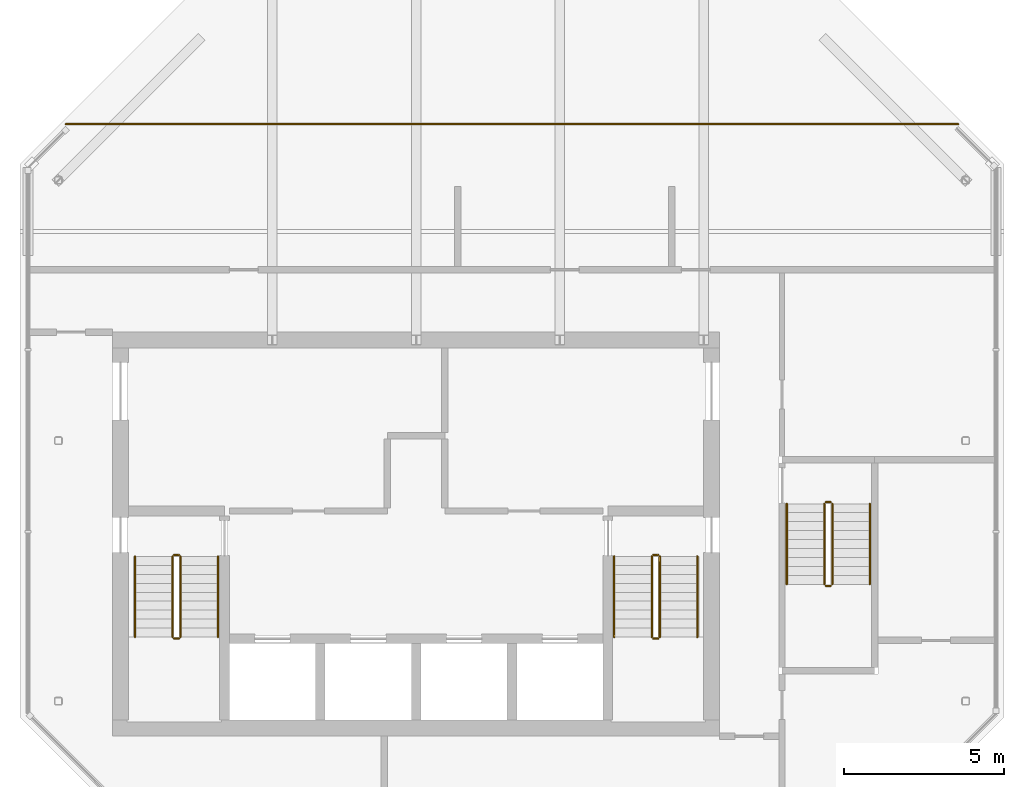
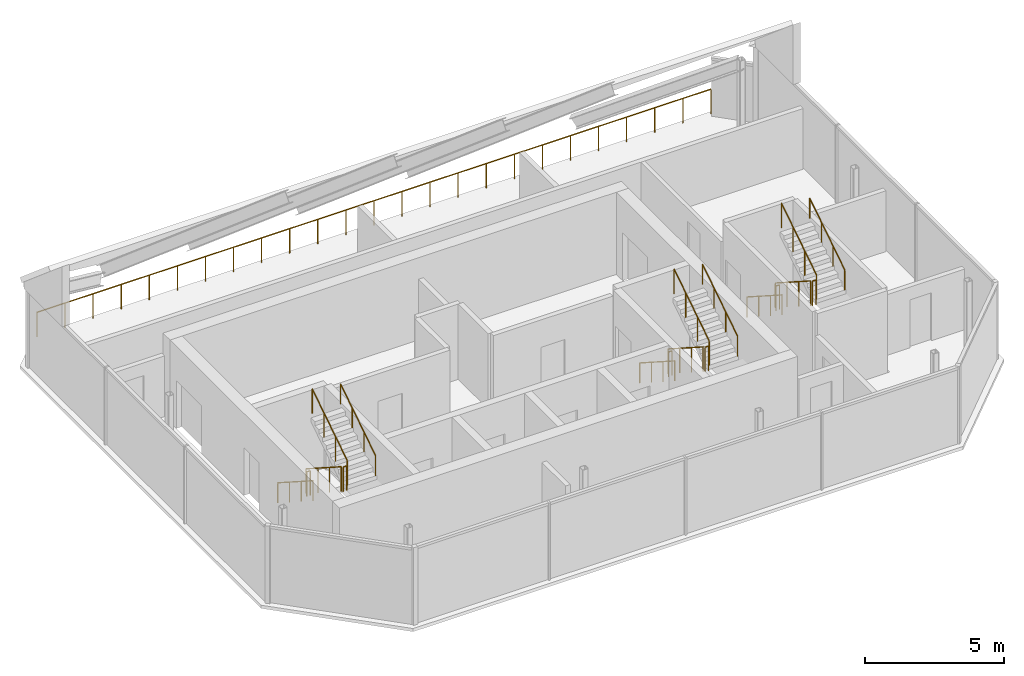
# One storey, part 5 of 5: 19 railings.
"""IFC4 building model written with IfcOpenShell, lengths in metres."""

from ifc_helpers import new_model, si_unit, direction, frame, origin, origin_2d, place, context, subcontext, project, spatial, circle, extrude, material, type_object, element, save


model = new_model("IFC4")

# Units and contexts
model_context = context("Model", 3, precision=1e-05, world=origin(), true_north=direction((0.0, 1.0)))
body_context = subcontext(model_context, "Body", "Model", "MODEL_VIEW")
ifc_project = project(units=[si_unit("LENGTHUNIT", "METRE"), si_unit("AREAUNIT", "SQUARE_METRE"), si_unit("VOLUMEUNIT", "CUBIC_METRE"), si_unit("PLANEANGLEUNIT", "RADIAN"), si_unit("MASSUNIT", "GRAM", prefix="KILO")], contexts=[model_context])

# Site, building, storey
site_placement = place(None, origin())
site = spatial("IfcSite", under=ifc_project, at=site_placement, CompositionType="ELEMENT")
building_placement = place(site_placement, origin())
building = spatial("IfcBuilding", under=site, at=building_placement, Name="Tskaro Facet Tower", CompositionType="ELEMENT")
storey_placement = place(building_placement, frame((0.0, 0.0, 304.5)))
storey = spatial("IfcBuildingStorey", under=building, at=storey_placement, Name="L82", CompositionType="ELEMENT", Elevation=304.5)

# Railings
ifc_material_1 = material(Name="Bronze anodised aluminium 6063-T6", Category="aluminium")
railing_type_1 = type_object("IfcRailingType", Name="Bronze guard rail (GD1)", PredefinedType="GUARDRAIL", material=ifc_material_1)
railing_1_placement = place(storey_placement, frame((16.968017578125, 7.162109375, 0.0)))
element("IfcRailing", 1, at=railing_1_placement, inside=storey, type_object=railing_type_1, Name="Guard L82", PredefinedType="GUARDRAIL", context=body_context, shape_type="SweptSolid", body=[
    extrude(circle(Radius=0.02490234375, at=origin_2d()), frame((0.0, 0.0, 1.0751953125), z_axis=(-1.0, 0.0, 0.0), x_axis=(0.0, -1.0, 0.0)), (0.0, 0.0, 1.0), 27.93603515625),
    extrude(circle(Radius=0.02001953125, at=origin_2d()), origin(), (0.0, 0.0, 1.0), 1.050048828125),
    extrude(circle(Radius=0.02001953125, at=origin_2d()), frame((-1.1640625, 0.0, 0.0)), (0.0, 0.0, 1.0), 1.050048828125),
    extrude(circle(Radius=0.02001953125, at=origin_2d()), frame((-2.328125, 0.0, 0.0)), (0.0, 0.0, 1.0), 1.050048828125),
    extrude(circle(Radius=0.02001953125, at=origin_2d()), frame((-3.491943359375, 0.0, 0.0)), (0.0, 0.0, 1.0), 1.050048828125),
    extrude(circle(Radius=0.02001953125, at=origin_2d()), frame((-4.656005859375, 0.0, 0.0)), (0.0, 0.0, 1.0), 1.050048828125),
    extrude(circle(Radius=0.02001953125, at=origin_2d()), frame((-5.820068359375, 0.0, 0.0)), (0.0, 0.0, 1.0), 1.050048828125),
    extrude(circle(Radius=0.02001953125, at=origin_2d()), frame((-6.98388671875, 0.0, 0.0)), (0.0, 0.0, 1.0), 1.050048828125),
    extrude(circle(Radius=0.02001953125, at=origin_2d()), frame((-8.14794921875, 0.0, 0.0)), (0.0, 0.0, 1.0), 1.050048828125),
    extrude(circle(Radius=0.02001953125, at=origin_2d()), frame((-9.31201171875, 0.0, 0.0)), (0.0, 0.0, 1.0), 1.050048828125),
    extrude(circle(Radius=0.02001953125, at=origin_2d()), frame((-10.47607421875, 0.0, 0.0)), (0.0, 0.0, 1.0), 1.050048828125),
    extrude(circle(Radius=0.02001953125, at=origin_2d()), frame((-11.64013671875, 0.0, 0.0)), (0.0, 0.0, 1.0), 1.050048828125),
    extrude(circle(Radius=0.02001953125, at=origin_2d()), frame((-12.803955078125, 0.0, 0.0)), (0.0, 0.0, 1.0), 1.050048828125),
    extrude(circle(Radius=0.02001953125, at=origin_2d()), frame((-13.968017578125, 0.0, 0.0)), (0.0, 0.0, 1.0), 1.050048828125),
    extrude(circle(Radius=0.02001953125, at=origin_2d()), frame((-15.132080078125, 0.0, 0.0)), (0.0, 0.0, 1.0), 1.050048828125),
    extrude(circle(Radius=0.02001953125, at=origin_2d()), frame((-16.2958984375, 0.0, 0.0)), (0.0, 0.0, 1.0), 1.050048828125),
    extrude(circle(Radius=0.02001953125, at=origin_2d()), frame((-17.4599609375, 0.0, 0.0)), (0.0, 0.0, 1.0), 1.050048828125),
    extrude(circle(Radius=0.02001953125, at=origin_2d()), frame((-18.6240234375, 0.0, 0.0)), (0.0, 0.0, 1.0), 1.050048828125),
    extrude(circle(Radius=0.02001953125, at=origin_2d()), frame((-19.7880859375, 0.0, 0.0)), (0.0, 0.0, 1.0), 1.050048828125),
    extrude(circle(Radius=0.02001953125, at=origin_2d()), frame((-20.9521484375, 0.0, 0.0)), (0.0, 0.0, 1.0), 1.050048828125),
    extrude(circle(Radius=0.02001953125, at=origin_2d()), frame((-22.115966796875, 0.0, 0.0)), (0.0, 0.0, 1.0), 1.050048828125),
    extrude(circle(Radius=0.02001953125, at=origin_2d()), frame((-23.280029296875, 0.0, 0.0)), (0.0, 0.0, 1.0), 1.050048828125),
    extrude(circle(Radius=0.02001953125, at=origin_2d()), frame((-24.444091796875, 0.0, 0.0)), (0.0, 0.0, 1.0), 1.050048828125),
    extrude(circle(Radius=0.02001953125, at=origin_2d()), frame((-25.60791015625, 0.0, 0.0)), (0.0, 0.0, 1.0), 1.050048828125),
    extrude(circle(Radius=0.02001953125, at=origin_2d()), frame((-26.77197265625, 0.0, 0.0)), (0.0, 0.0, 1.0), 1.050048828125),
    extrude(circle(Radius=0.02001953125, at=origin_2d()), frame((-27.93603515625, 0.0, 0.0)), (0.0, 0.0, 1.0), 1.050048828125),
])
ifc_material_2 = material(Name="Stainless steel", Category="steel")
railing_type_2 = type_object("IfcRailingType", Name="RL-GUARD-1100", PredefinedType="GUARDRAIL", material=ifc_material_2)
railing_2_placement = place(storey_placement, frame((-7.625, -6.375, 0.179931640625)))
element("IfcRailing", 2, at=railing_2_placement, inside=storey, type_object=railing_type_2, Name="L82 ST-1 stair guard 1", PredefinedType="GUARDRAIL", context=body_context, shape_type="SweptSolid", body=[
    extrude(circle(Radius=0.02392578125, at=origin_2d()), frame((0.0, 0.0, 1.076171875), z_axis=(0.0, -0.841162588446, 0.540782303519), x_axis=(1.0, 0.0, 0.0)), (0.0, 0.0, 1.0), 2.995849609375),
    extrude(circle(Radius=0.02099609375, at=origin_2d()), origin(), (0.0, 0.0, 1.0), 1.052001953125),
    extrude(circle(Radius=0.02099609375, at=origin_2d()), frame((0.0, -0.840087890625, 0.5400390625)), (0.0, 0.0, 1.0), 1.052001953125),
    extrude(circle(Radius=0.02099609375, at=origin_2d()), frame((0.0, -1.679931640625, 1.080078125)), (0.0, 0.0, 1.0), 1.052001953125),
    extrude(circle(Radius=0.02099609375, at=origin_2d()), frame((0.0, -2.52001953125, 1.6201171875)), (0.0, 0.0, 1.0), 1.052001953125),
])
railing_3_placement = place(storey_placement, frame((-7.574951171875, -8.945068359375, 1.800048828125)))
element("IfcRailing", 3, at=railing_3_placement, inside=storey, type_object=railing_type_2, Name="L82 ST-1 stair guard 2", PredefinedType="GUARDRAIL", context=body_context, shape_type="SweptSolid", body=[
    extrude(circle(Radius=0.02392578125, at=origin_2d()), frame((0.0, 0.0, 1.076171875), z_axis=(1.0, 0.0, 0.0), x_axis=(0.0, 1.0, 0.0)), (0.0, 0.0, 1.0), 0.14990234375),
    extrude(circle(Radius=0.02099609375, at=origin_2d()), origin(), (0.0, 0.0, 1.0), 1.052001953125),
    extrude(circle(Radius=0.02099609375, at=origin_2d()), frame((0.14990234375, 0.0, 0.0)), (0.0, 0.0, 1.0), 1.052001953125),
])
railing_4_placement = place(storey_placement, frame((-7.375, -8.89501953125, 1.97998046875)))
element("IfcRailing", 4, at=railing_4_placement, inside=storey, type_object=railing_type_2, Name="L82 ST-1 stair guard 3", PredefinedType="GUARDRAIL", context=body_context, shape_type="SweptSolid", body=[
    extrude(circle(Radius=0.02392578125, at=origin_2d()), frame((0.0, 0.0, 1.076171875), z_axis=(0.0, 0.841162588446, 0.540782303519), x_axis=(-1.0, 0.0, 0.0)), (0.0, 0.0, 1.0), 2.995849609375),
    extrude(circle(Radius=0.02099609375, at=origin_2d()), origin(), (0.0, 0.0, 1.0), 1.052001953125),
    extrude(circle(Radius=0.02099609375, at=origin_2d()), frame((0.0, 0.840087890625, 0.5400390625)), (0.0, 0.0, 1.0), 1.052001953125),
    extrude(circle(Radius=0.02099609375, at=origin_2d()), frame((0.0, 1.679931640625, 1.080078125)), (0.0, 0.0, 1.0), 1.052001953125),
    extrude(circle(Radius=0.02099609375, at=origin_2d()), frame((0.0, 2.52001953125, 1.6201171875)), (0.0, 0.0, 1.0), 1.052001953125),
])
railing_5_placement = place(storey_placement, frame((-7.574951171875, -6.324951171875, 0.0)))
element("IfcRailing", 5, at=railing_5_placement, inside=storey, type_object=railing_type_2, Name="L82 ST-1 stair guard 4", PredefinedType="GUARDRAIL", context=body_context, shape_type="SweptSolid", body=[
    extrude(circle(Radius=0.02392578125, at=origin_2d()), frame((0.0, 0.0, 1.076171875), z_axis=(1.0, 0.0, 0.0), x_axis=(0.0, 1.0, 0.0)), (0.0, 0.0, 1.0), 0.14990234375),
    extrude(circle(Radius=0.02099609375, at=origin_2d()), origin(), (0.0, 0.0, 1.0), 1.052001953125),
    extrude(circle(Radius=0.02099609375, at=origin_2d()), frame((0.14990234375, 0.0, 0.0)), (0.0, 0.0, 1.0), 1.052001953125),
])
railing_6_placement = place(storey_placement, frame((7.375, -6.375, 0.179931640625)))
element("IfcRailing", 6, at=railing_6_placement, inside=storey, type_object=railing_type_2, Name="L82 ST-2 stair guard 1", PredefinedType="GUARDRAIL", context=body_context, shape_type="SweptSolid", body=[
    extrude(circle(Radius=0.02392578125, at=origin_2d()), frame((0.0, 0.0, 1.076171875), z_axis=(0.0, -0.841162588446, 0.540782303519), x_axis=(1.0, 0.0, 0.0)), (0.0, 0.0, 1.0), 2.995849609375),
    extrude(circle(Radius=0.02099609375, at=origin_2d()), origin(), (0.0, 0.0, 1.0), 1.052001953125),
    extrude(circle(Radius=0.02099609375, at=origin_2d()), frame((0.0, -0.840087890625, 0.5400390625)), (0.0, 0.0, 1.0), 1.052001953125),
    extrude(circle(Radius=0.02099609375, at=origin_2d()), frame((0.0, -1.679931640625, 1.080078125)), (0.0, 0.0, 1.0), 1.052001953125),
    extrude(circle(Radius=0.02099609375, at=origin_2d()), frame((0.0, -2.52001953125, 1.6201171875)), (0.0, 0.0, 1.0), 1.052001953125),
])
railing_7_placement = place(storey_placement, frame((7.425048828125, -8.945068359375, 1.800048828125)))
element("IfcRailing", 7, at=railing_7_placement, inside=storey, type_object=railing_type_2, Name="L82 ST-2 stair guard 2", PredefinedType="GUARDRAIL", context=body_context, shape_type="SweptSolid", body=[
    extrude(circle(Radius=0.02392578125, at=origin_2d()), frame((0.0, 0.0, 1.076171875), z_axis=(1.0, 0.0, 0.0), x_axis=(0.0, 1.0, 0.0)), (0.0, 0.0, 1.0), 0.14990234375),
    extrude(circle(Radius=0.02099609375, at=origin_2d()), origin(), (0.0, 0.0, 1.0), 1.052001953125),
    extrude(circle(Radius=0.02099609375, at=origin_2d()), frame((0.14990234375, 0.0, 0.0)), (0.0, 0.0, 1.0), 1.052001953125),
])
railing_8_placement = place(storey_placement, frame((7.625, -8.89501953125, 1.97998046875)))
element("IfcRailing", 8, at=railing_8_placement, inside=storey, type_object=railing_type_2, Name="L82 ST-2 stair guard 3", PredefinedType="GUARDRAIL", context=body_context, shape_type="SweptSolid", body=[
    extrude(circle(Radius=0.02392578125, at=origin_2d()), frame((0.0, 0.0, 1.076171875), z_axis=(0.0, 0.841162588446, 0.540782303519), x_axis=(-1.0, 0.0, 0.0)), (0.0, 0.0, 1.0), 2.995849609375),
    extrude(circle(Radius=0.02099609375, at=origin_2d()), origin(), (0.0, 0.0, 1.0), 1.052001953125),
    extrude(circle(Radius=0.02099609375, at=origin_2d()), frame((0.0, 0.840087890625, 0.5400390625)), (0.0, 0.0, 1.0), 1.052001953125),
    extrude(circle(Radius=0.02099609375, at=origin_2d()), frame((0.0, 1.679931640625, 1.080078125)), (0.0, 0.0, 1.0), 1.052001953125),
    extrude(circle(Radius=0.02099609375, at=origin_2d()), frame((0.0, 2.52001953125, 1.6201171875)), (0.0, 0.0, 1.0), 1.052001953125),
])
railing_9_placement = place(storey_placement, frame((7.425048828125, -6.324951171875, 0.0)))
element("IfcRailing", 9, at=railing_9_placement, inside=storey, type_object=railing_type_2, Name="L82 ST-2 stair guard 4", PredefinedType="GUARDRAIL", context=body_context, shape_type="SweptSolid", body=[
    extrude(circle(Radius=0.02392578125, at=origin_2d()), frame((0.0, 0.0, 1.076171875), z_axis=(1.0, 0.0, 0.0), x_axis=(0.0, 1.0, 0.0)), (0.0, 0.0, 1.0), 0.14990234375),
    extrude(circle(Radius=0.02099609375, at=origin_2d()), origin(), (0.0, 0.0, 1.0), 1.052001953125),
    extrude(circle(Radius=0.02099609375, at=origin_2d()), frame((0.14990234375, 0.0, 0.0)), (0.0, 0.0, 1.0), 1.052001953125),
])
railing_10_placement = place(storey_placement, frame((12.77490234375, -4.72509765625, 0.179931640625)))
element("IfcRailing", 10, at=railing_10_placement, inside=storey, type_object=railing_type_2, Name="L82 ST-4 stair guard 1", PredefinedType="GUARDRAIL", context=body_context, shape_type="SweptSolid", body=[
    extrude(circle(Radius=0.02392578125, at=origin_2d()), frame((0.0, 0.0, 1.076171875), z_axis=(0.0, -0.841162588446, 0.540782303519), x_axis=(1.0, 0.0, 0.0)), (0.0, 0.0, 1.0), 2.995849609375),
    extrude(circle(Radius=0.02099609375, at=origin_2d()), origin(), (0.0, 0.0, 1.0), 1.052001953125),
    extrude(circle(Radius=0.02099609375, at=origin_2d()), frame((0.0, -0.840087890625, 0.5400390625)), (0.0, 0.0, 1.0), 1.052001953125),
    extrude(circle(Radius=0.02099609375, at=origin_2d()), frame((0.0, -1.679931640625, 1.080078125)), (0.0, 0.0, 1.0), 1.052001953125),
    extrude(circle(Radius=0.02099609375, at=origin_2d()), frame((0.0, -2.52001953125, 1.6201171875)), (0.0, 0.0, 1.0), 1.052001953125),
])
railing_11_placement = place(storey_placement, frame((12.824951171875, -7.294921875, 1.800048828125)))
element("IfcRailing", 11, at=railing_11_placement, inside=storey, type_object=railing_type_2, Name="L82 ST-4 stair guard 2", PredefinedType="GUARDRAIL", context=body_context, shape_type="SweptSolid", body=[
    extrude(circle(Radius=0.02392578125, at=origin_2d()), frame((0.0, 0.0, 1.076171875), z_axis=(1.0, 0.0, 0.0), x_axis=(0.0, 1.0, 0.0)), (0.0, 0.0, 1.0), 0.150146484375),
    extrude(circle(Radius=0.02099609375, at=origin_2d()), origin(), (0.0, 0.0, 1.0), 1.052001953125),
    extrude(circle(Radius=0.02099609375, at=origin_2d()), frame((0.150146484375, 0.0, 0.0)), (0.0, 0.0, 1.0), 1.052001953125),
])
railing_12_placement = place(storey_placement, frame((13.02490234375, -7.2451171875, 1.97998046875)))
element("IfcRailing", 12, at=railing_12_placement, inside=storey, type_object=railing_type_2, Name="L82 ST-4 stair guard 3", PredefinedType="GUARDRAIL", context=body_context, shape_type="SweptSolid", body=[
    extrude(circle(Radius=0.02392578125, at=origin_2d()), frame((0.0, 0.0, 1.076171875), z_axis=(0.0, 0.841162588446, 0.540782303519), x_axis=(-1.0, 0.0, 0.0)), (0.0, 0.0, 1.0), 2.995849609375),
    extrude(circle(Radius=0.02099609375, at=origin_2d()), origin(), (0.0, 0.0, 1.0), 1.052001953125),
    extrude(circle(Radius=0.02099609375, at=origin_2d()), frame((0.0, 0.840087890625, 0.5400390625)), (0.0, 0.0, 1.0), 1.052001953125),
    extrude(circle(Radius=0.02099609375, at=origin_2d()), frame((0.0, 1.679931640625, 1.080078125)), (0.0, 0.0, 1.0), 1.052001953125),
    extrude(circle(Radius=0.02099609375, at=origin_2d()), frame((0.0, 2.52001953125, 1.6201171875)), (0.0, 0.0, 1.0), 1.052001953125),
])
railing_13_placement = place(storey_placement, frame((12.824951171875, -4.675048828125, 0.0)))
element("IfcRailing", 13, at=railing_13_placement, inside=storey, type_object=railing_type_2, Name="L82 ST-4 stair guard 4", PredefinedType="GUARDRAIL", context=body_context, shape_type="SweptSolid", body=[
    extrude(circle(Radius=0.02392578125, at=origin_2d()), frame((0.0, 0.0, 1.076171875), z_axis=(1.0, 0.0, 0.0), x_axis=(0.0, 1.0, 0.0)), (0.0, 0.0, 1.0), 0.150146484375),
    extrude(circle(Radius=0.02099609375, at=origin_2d()), origin(), (0.0, 0.0, 1.0), 1.052001953125),
    extrude(circle(Radius=0.02099609375, at=origin_2d()), frame((0.150146484375, 0.0, 0.0)), (0.0, 0.0, 1.0), 1.052001953125),
])
railing_type_3 = type_object("IfcRailingType", Name="RL-HANDRAIL-900", PredefinedType="HANDRAIL", material=ifc_material_2)
railing_14_placement = place(storey_placement, frame((-8.800048828125, -6.375, 0.179931640625)))
element("IfcRailing", 14, at=railing_14_placement, inside=storey, type_object=railing_type_3, Name="L82 ST-1 stair handrail 1", PredefinedType="HANDRAIL", context=body_context, shape_type="SweptSolid", body=[
    extrude(circle(Radius=0.02392578125, at=origin_2d()), frame((0.0, 0.0, 0.8759765625), z_axis=(0.0, -0.841162588446, 0.540782303519), x_axis=(1.0, 0.0, 0.0)), (0.0, 0.0, 1.0), 2.995849609375),
    extrude(circle(Radius=0.02099609375, at=origin_2d()), origin(), (0.0, 0.0, 1.0), 0.851806640625),
    extrude(circle(Radius=0.02099609375, at=origin_2d()), frame((0.0, -0.840087890625, 0.5400390625)), (0.0, 0.0, 1.0), 0.851806640625),
    extrude(circle(Radius=0.02099609375, at=origin_2d()), frame((0.0, -1.679931640625, 1.080078125)), (0.0, 0.0, 1.0), 0.851806640625),
    extrude(circle(Radius=0.02099609375, at=origin_2d()), frame((0.0, -2.52001953125, 1.6201171875)), (0.0, 0.0, 1.0), 0.851806640625),
])
railing_15_placement = place(storey_placement, frame((-6.199951171875, -8.89501953125, 1.97998046875)))
element("IfcRailing", 15, at=railing_15_placement, inside=storey, type_object=railing_type_3, Name="L82 ST-1 stair handrail 2", PredefinedType="HANDRAIL", context=body_context, shape_type="SweptSolid", body=[
    extrude(circle(Radius=0.02392578125, at=origin_2d()), frame((0.0, 0.0, 0.8759765625), z_axis=(0.0, 0.841162588446, 0.540782303519), x_axis=(-1.0, 0.0, 0.0)), (0.0, 0.0, 1.0), 2.995849609375),
    extrude(circle(Radius=0.02099609375, at=origin_2d()), origin(), (0.0, 0.0, 1.0), 0.851806640625),
    extrude(circle(Radius=0.02099609375, at=origin_2d()), frame((0.0, 0.840087890625, 0.5400390625)), (0.0, 0.0, 1.0), 0.851806640625),
    extrude(circle(Radius=0.02099609375, at=origin_2d()), frame((0.0, 1.679931640625, 1.080078125)), (0.0, 0.0, 1.0), 0.851806640625),
    extrude(circle(Radius=0.02099609375, at=origin_2d()), frame((0.0, 2.52001953125, 1.6201171875)), (0.0, 0.0, 1.0), 0.851806640625),
])
railing_16_placement = place(storey_placement, frame((6.199951171875, -6.375, 0.179931640625)))
element("IfcRailing", 16, at=railing_16_placement, inside=storey, type_object=railing_type_3, Name="L82 ST-2 stair handrail 1", PredefinedType="HANDRAIL", context=body_context, shape_type="SweptSolid", body=[
    extrude(circle(Radius=0.02392578125, at=origin_2d()), frame((0.0, 0.0, 0.8759765625), z_axis=(0.0, -0.841162588446, 0.540782303519), x_axis=(1.0, 0.0, 0.0)), (0.0, 0.0, 1.0), 2.995849609375),
    extrude(circle(Radius=0.02099609375, at=origin_2d()), origin(), (0.0, 0.0, 1.0), 0.851806640625),
    extrude(circle(Radius=0.02099609375, at=origin_2d()), frame((0.0, -0.840087890625, 0.5400390625)), (0.0, 0.0, 1.0), 0.851806640625),
    extrude(circle(Radius=0.02099609375, at=origin_2d()), frame((0.0, -1.679931640625, 1.080078125)), (0.0, 0.0, 1.0), 0.851806640625),
    extrude(circle(Radius=0.02099609375, at=origin_2d()), frame((0.0, -2.52001953125, 1.6201171875)), (0.0, 0.0, 1.0), 0.851806640625),
])
railing_17_placement = place(storey_placement, frame((8.800048828125, -8.89501953125, 1.97998046875)))
element("IfcRailing", 17, at=railing_17_placement, inside=storey, type_object=railing_type_3, Name="L82 ST-2 stair handrail 2", PredefinedType="HANDRAIL", context=body_context, shape_type="SweptSolid", body=[
    extrude(circle(Radius=0.02392578125, at=origin_2d()), frame((0.0, 0.0, 0.8759765625), z_axis=(0.0, 0.841162588446, 0.540782303519), x_axis=(-1.0, 0.0, 0.0)), (0.0, 0.0, 1.0), 2.995849609375),
    extrude(circle(Radius=0.02099609375, at=origin_2d()), origin(), (0.0, 0.0, 1.0), 0.851806640625),
    extrude(circle(Radius=0.02099609375, at=origin_2d()), frame((0.0, 0.840087890625, 0.5400390625)), (0.0, 0.0, 1.0), 0.851806640625),
    extrude(circle(Radius=0.02099609375, at=origin_2d()), frame((0.0, 1.679931640625, 1.080078125)), (0.0, 0.0, 1.0), 0.851806640625),
    extrude(circle(Radius=0.02099609375, at=origin_2d()), frame((0.0, 2.52001953125, 1.6201171875)), (0.0, 0.0, 1.0), 0.851806640625),
])
railing_18_placement = place(storey_placement, frame((11.60009765625, -4.72509765625, 0.179931640625)))
element("IfcRailing", 18, at=railing_18_placement, inside=storey, type_object=railing_type_3, Name="L82 ST-4 stair handrail 1", PredefinedType="HANDRAIL", context=body_context, shape_type="SweptSolid", body=[
    extrude(circle(Radius=0.02392578125, at=origin_2d()), frame((0.0, 0.0, 0.8759765625), z_axis=(0.0, -0.841162588446, 0.540782303519), x_axis=(1.0, 0.0, 0.0)), (0.0, 0.0, 1.0), 2.995849609375),
    extrude(circle(Radius=0.02099609375, at=origin_2d()), origin(), (0.0, 0.0, 1.0), 0.851806640625),
    extrude(circle(Radius=0.02099609375, at=origin_2d()), frame((0.0, -0.840087890625, 0.5400390625)), (0.0, 0.0, 1.0), 0.851806640625),
    extrude(circle(Radius=0.02099609375, at=origin_2d()), frame((0.0, -1.679931640625, 1.080078125)), (0.0, 0.0, 1.0), 0.851806640625),
    extrude(circle(Radius=0.02099609375, at=origin_2d()), frame((0.0, -2.52001953125, 1.6201171875)), (0.0, 0.0, 1.0), 0.851806640625),
])
railing_19_placement = place(storey_placement, frame((14.199951171875, -7.2451171875, 1.97998046875)))
element("IfcRailing", 19, at=railing_19_placement, inside=storey, type_object=railing_type_3, Name="L82 ST-4 stair handrail 2", PredefinedType="HANDRAIL", context=body_context, shape_type="SweptSolid", body=[
    extrude(circle(Radius=0.02392578125, at=origin_2d()), frame((0.0, 0.0, 0.8759765625), z_axis=(0.0, 0.841162588446, 0.540782303519), x_axis=(-1.0, 0.0, 0.0)), (0.0, 0.0, 1.0), 2.995849609375),
    extrude(circle(Radius=0.02099609375, at=origin_2d()), origin(), (0.0, 0.0, 1.0), 0.851806640625),
    extrude(circle(Radius=0.02099609375, at=origin_2d()), frame((0.0, 0.840087890625, 0.5400390625)), (0.0, 0.0, 1.0), 0.851806640625),
    extrude(circle(Radius=0.02099609375, at=origin_2d()), frame((0.0, 1.679931640625, 1.080078125)), (0.0, 0.0, 1.0), 0.851806640625),
    extrude(circle(Radius=0.02099609375, at=origin_2d()), frame((0.0, 2.52001953125, 1.6201171875)), (0.0, 0.0, 1.0), 0.851806640625),
])

save(model, "model.ifc")
